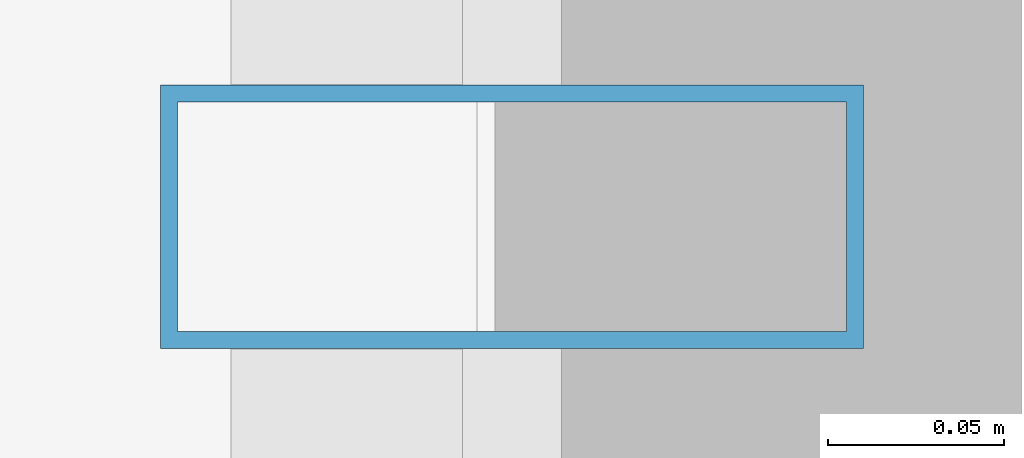
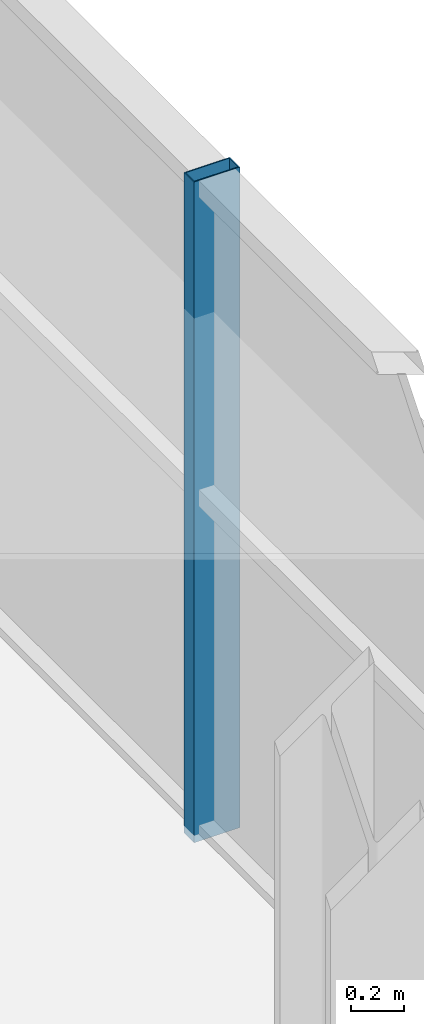
# One storey, part 13 of 32: 1 member, 1 element without a shape of its own.
"""IFC4 building model written with IfcOpenShell, lengths in metres."""

from ifc_helpers import new_model, si_unit, direction, frame, origin, origin_2d, place, context, subcontext, project, spatial, hollow_rectangle, extrude, source, transform, mapped, material, layer, layer_set, material_profile, profile_set, type_object, element, aggregate, save


model = new_model("IFC4")

# Units and contexts
model_context = context("Model", 3, precision=1e-05, world=origin(), true_north=direction((0.0, 1.0)))
body_context = subcontext(model_context, "Body", "Model", "MODEL_VIEW")
ifc_project = project(units=[si_unit("LENGTHUNIT", "METRE"), si_unit("AREAUNIT", "SQUARE_METRE"), si_unit("VOLUMEUNIT", "CUBIC_METRE"), si_unit("PLANEANGLEUNIT", "RADIAN"), si_unit("MASSUNIT", "GRAM", prefix="KILO")], contexts=[model_context])

# Site, building, storey
site_placement = place(None, origin())
site = spatial("IfcSite", under=ifc_project, at=site_placement, CompositionType="ELEMENT")
building_placement = place(site_placement, origin())
building = spatial("IfcBuilding", under=site, at=building_placement, Name="Zarnakvel Exchange Tower", CompositionType="ELEMENT")
storey_placement = place(building_placement, frame((0.0, 0.0, 27.39990234375)))
storey = spatial("IfcBuildingStorey", under=building, at=storey_placement, Name="L06", CompositionType="ELEMENT", Elevation=27.39990234375)

# Curtain wall, member
ifc_material = material(Name="Architectural Bronze Anodised Aluminium", Category="aluminium")
ifc_layer = layer(ifc_material, 0.199951171875)
ifc_layer_set = layer_set([ifc_layer], Name="Architectural Bronze Anodised Aluminium")
curtain_wall_type = type_object("IfcCurtainWallType", Name="CW-04", PredefinedType="NOTDEFINED", material=ifc_layer_set)
curtain_wall_placement = place(storey_placement, origin())
curtain_wall = element("IfcCurtainWall", 1, at=curtain_wall_placement, inside=storey, type_object=curtain_wall_type, Name="L06 Curtain Wall CW-L06-E1 (CW-04)", PredefinedType="NOTDEFINED")
ifc_material_profile = material_profile(ifc_material, hollow_rectangle(XDim=0.199951171875, YDim=0.074951171875, WallThickness=0.0048828125, at=origin_2d()))
ifc_profile_set = profile_set([ifc_material_profile], Name="Architectural Bronze Anodised Aluminium")
member_type = type_object("IfcMemberType", Name="CWM-04", PredefinedType="MULLION", material=ifc_profile_set)
shared_shape = source(origin(), body_context, "Body", "SweptSolid", [
    extrude(hollow_rectangle(XDim=0.199951171875, YDim=0.074951171875, WallThickness=0.0048828125, at=origin_2d()), origin(), (0.0, 0.0, 1.0), 3.05517578125),
])
member_placement = place(storey_placement, frame((28.4599609375, -7.5, 0.0), z_axis=(0.0, 0.0, 1.0), x_axis=(-1.0, 0.0, 0.0)))
member = element("IfcMember", 2, at=member_placement, type_object=member_type, Name="CW-04 mullion 2", PredefinedType="MULLION", context=body_context, shape_type="MappedRepresentation", body=[
    mapped(shared_shape, transform((0.0, 0.0, 0.0), x_axis=(1.0, 0.0, 0.0), y_axis=(0.0, 1.0, 0.0), z_axis=(0.0, 0.0, 1.0), scale=1.0)),
])
aggregate(curtain_wall, [member])

save(model, "model.ifc")
